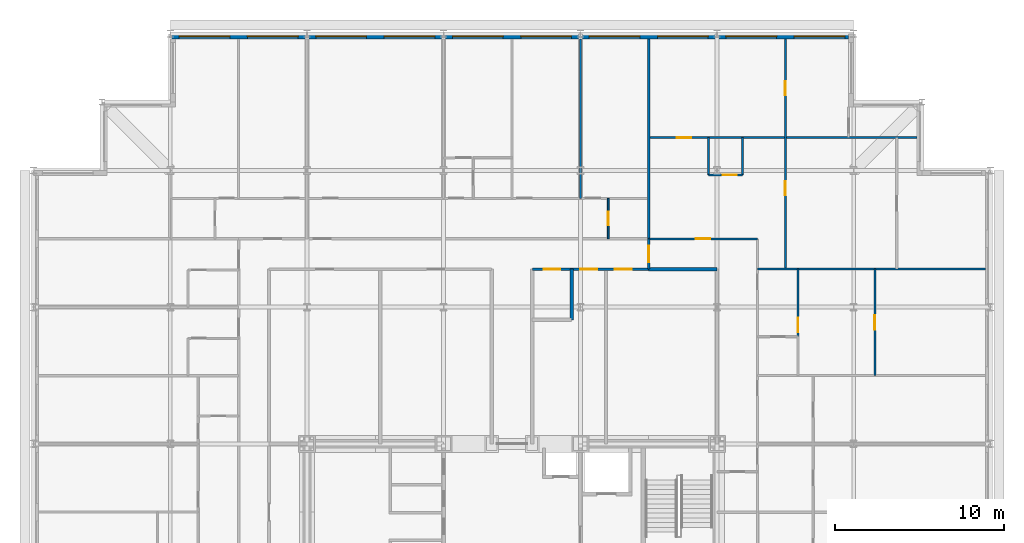
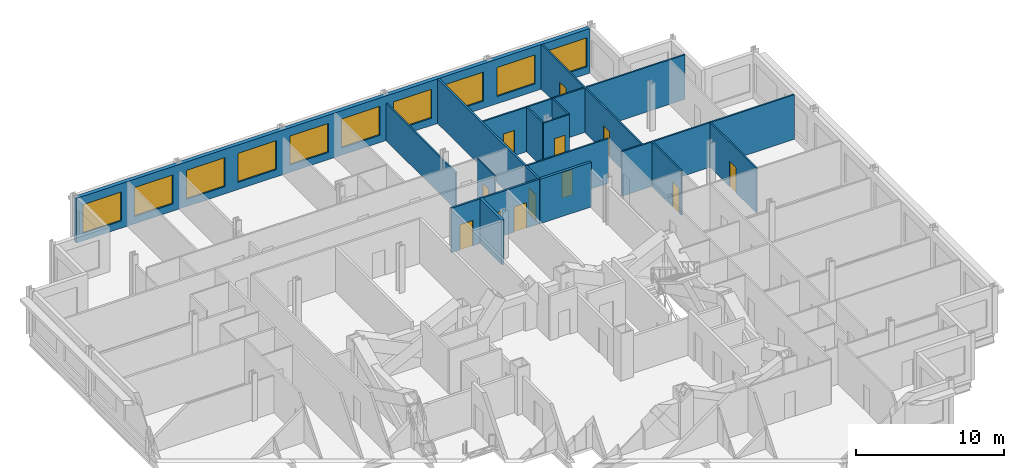
# One storey, part 13 of 15: 17 walls, 12 doors, 10 windows, 22 openings.
"""IFC4 building model written with IfcOpenShell, lengths in metres."""

from ifc_helpers import new_model, si_unit, direction, frame, frame_2d, origin, place, context, subcontext, project, spatial, rectangle, extrude, material, layer, layer_set, type_object, element, fill, save


model = new_model("IFC4")

# Units and contexts
model_context = context("Model", 3, precision=1e-05, world=origin(), true_north=direction((0.0, 1.0)))
body_context = subcontext(model_context, "Body", "Model", "MODEL_VIEW")
ifc_project = project(units=[si_unit("LENGTHUNIT", "METRE"), si_unit("AREAUNIT", "SQUARE_METRE"), si_unit("VOLUMEUNIT", "CUBIC_METRE"), si_unit("PLANEANGLEUNIT", "RADIAN"), si_unit("MASSUNIT", "GRAM", prefix="KILO")], contexts=[model_context])

# Site, building, storey
site_placement = place(None, origin())
site = spatial("IfcSite", under=ifc_project, at=site_placement, CompositionType="ELEMENT")
building_placement = place(site_placement, origin())
building = spatial("IfcBuilding", under=site, at=building_placement, Name="Kopane Lantern Tower", CompositionType="ELEMENT")
storey_placement = place(building_placement, frame((0.0, 0.0, 250.199951171875)))
storey = spatial("IfcBuildingStorey", under=building, at=storey_placement, Name="L64", CompositionType="ELEMENT", Elevation=250.199951171875)

# Wall
ifc_material_1 = material(Name="Gypsum board on steel studs", Category="steel")
ifc_layer_1 = layer(ifc_material_1, 0.1201171875)
ifc_layer_set_1 = layer_set([ifc_layer_1], Name="APARTMENT INTERNAL WALL 120")
wall_type_1 = type_object("IfcWallType", Name="APARTMENT INTERNAL WALL 120", PredefinedType="PARTITIONING", material=ifc_layer_set_1)
wall_1_placement = place(storey_placement, frame((32.39990234375, 55.050048828125, 0.0), z_axis=(0.0, 0.0, 1.0), x_axis=(0.0, 1.0, 0.0)))
element("IfcWall", 1, at=wall_1_placement, inside=storey, type_object=wall_type_1, Name="Apartment Internal Wall 120 L64", PredefinedType="PARTITIONING", context=body_context, shape_type="SweptSolid", body=[
    extrude(rectangle(XDim=9.449951171875, YDim=0.1201171875, at=frame_2d((4.72509765625, 0.0))), origin(), (0.0, 0.0, 1.0), 3.077880859375),
])

# Wall, opening, door
wall_2_placement = place(storey_placement, frame((36.449951171875, 52.64990234375, 0.0), z_axis=(0.0, 0.0, 1.0), x_axis=(1.0, 0.0, 0.0)))
wall_2 = element("IfcWall", 2, at=wall_2_placement, inside=storey, type_object=wall_type_1, Name="Apartment Internal Wall 120 L64", PredefinedType="PARTITIONING", context=body_context, shape_type="SweptSolid", body=[
    extrude(rectangle(XDim=6.449951171875, YDim=0.1201171875, at=frame_2d((3.22509765625, 0.0))), origin(), (0.0, 0.0, 1.0), 3.68994140625),
])
opening_1_placement = place(wall_2_placement, frame((2.800048828125, 0.0, 0.0)))
opening_1 = element("IfcOpeningElement", 3, at=opening_1_placement, cuts=wall_2, Name="Opening L64-053", PredefinedType="OPENING", context=body_context, shape_type="SweptSolid", body=[
    extrude(rectangle(XDim=0.85009765625, YDim=2.10009765625, at=frame_2d((0.425048828125, 1.050048828125))), frame((0.0, 0.070068359375, 0.0), z_axis=(0.0, -1.0, 0.0), x_axis=(1.0, 0.0, 0.0)), (0.0, 0.0, 1.0), 0.14013671875),
])
ifc_material_2 = material(Name="Timber door set", Category="wood")
door_type_1 = type_object("IfcDoorType", Name="DOOR D4 850x2100", OperationType="SINGLE_SWING_LEFT", PredefinedType="DOOR", material=ifc_material_2)
door_1_placement = place(opening_1_placement, origin())
door_1 = element("IfcDoor", 4, at=door_1_placement, inside=storey, type_object=door_type_1, Name="Door L64-053", OperationType="SINGLE_SWING_LEFT", OverallHeight=2.10009765625, OverallWidth=0.85009765625, PredefinedType="DOOR", context=body_context, shape_type="SweptSolid", body=[
    extrude(rectangle(XDim=0.85009765625, YDim=2.10009765625, at=frame_2d((0.425048828125, 1.050048828125))), frame((0.0, 0.02490234375, 0.0), z_axis=(0.0, -1.0, 0.0), x_axis=(1.0, 0.0, 0.0)), (0.0, 0.0, 1.0), 0.050048828125),
])
fill(opening_1, door_1)

# Wall
wall_3_placement = place(storey_placement, frame((42.89990234375, 50.85009765625, 0.0), z_axis=(0.0, 0.0, 1.0), x_axis=(1.0, 0.0, 0.0)))
element("IfcWall", 5, at=wall_3_placement, inside=storey, type_object=wall_type_1, Name="Apartment Internal Wall 120 L64", PredefinedType="PARTITIONING", context=body_context, shape_type="SweptSolid", body=[
    extrude(rectangle(XDim=13.5, YDim=0.1201171875, at=frame_2d((6.75, 0.0))), origin(), (0.0, 0.0, 1.0), 3.68994140625),
])

# Wall, opening, door
wall_4_placement = place(storey_placement, frame((36.449951171875, 58.64990234375, 0.0), z_axis=(0.0, 0.0, 1.0), x_axis=(1.0, 0.0, 0.0)))
wall_4 = element("IfcWall", 6, at=wall_4_placement, inside=storey, type_object=wall_type_1, Name="Apartment Internal Wall 120 L64", PredefinedType="PARTITIONING", context=body_context, shape_type="SweptSolid", body=[
    extrude(rectangle(XDim=15.900146484375, YDim=0.1201171875, at=frame_2d((7.9501953125, 0.0))), origin(), (0.0, 0.0, 1.0), 3.68994140625),
])
opening_2_placement = place(wall_4_placement, frame((1.675048828125, 0.0, 0.0)))
opening_2 = element("IfcOpeningElement", 7, at=opening_2_placement, cuts=wall_4, Name="Opening L64-054", PredefinedType="OPENING", context=body_context, shape_type="SweptSolid", body=[
    extrude(rectangle(XDim=0.85009765625, YDim=2.10009765625, at=frame_2d((0.425048828125, 1.050048828125))), frame((0.0, 0.070068359375, 0.0), z_axis=(0.0, -1.0, 0.0), x_axis=(1.0, 0.0, 0.0)), (0.0, 0.0, 1.0), 0.14013671875),
])
door_2_placement = place(opening_2_placement, origin())
door_2 = element("IfcDoor", 8, at=door_2_placement, inside=storey, type_object=door_type_1, Name="Door L64-054", OperationType="SINGLE_SWING_LEFT", OverallHeight=2.10009765625, OverallWidth=0.85009765625, PredefinedType="DOOR", context=body_context, shape_type="SweptSolid", body=[
    extrude(rectangle(XDim=0.85009765625, YDim=2.10009765625, at=frame_2d((0.425048828125, 1.050048828125))), frame((0.0, 0.02490234375, 0.0), z_axis=(0.0, -1.0, 0.0), x_axis=(1.0, 0.0, 0.0)), (0.0, 0.0, 1.0), 0.050048828125),
])
fill(opening_2, door_2)

# Wall, openings, doors
wall_5_placement = place(storey_placement, frame((44.550048828125, 64.5, 0.0), z_axis=(0.0, 0.0, 1.0), x_axis=(0.0, -1.0, 0.0)))
wall_5 = element("IfcWall", 9, at=wall_5_placement, inside=storey, type_object=wall_type_1, Name="Apartment Internal Wall 120 L64", PredefinedType="PARTITIONING", context=body_context, shape_type="SweptSolid", body=[
    extrude(rectangle(XDim=13.64990234375, YDim=0.1201171875, at=frame_2d((6.824951171875, 0.0))), origin(), (0.0, 0.0, 1.0), 3.68994140625),
])
opening_3_placement = place(wall_5_placement, frame((8.425048828125, 0.0, 0.0)))
opening_3 = element("IfcOpeningElement", 10, at=opening_3_placement, cuts=wall_5, Name="Opening L64-055", PredefinedType="OPENING", context=body_context, shape_type="SweptSolid", body=[
    extrude(rectangle(XDim=0.85009765625, YDim=2.10009765625, at=frame_2d((0.425048828125, 1.050048828125))), frame((0.0, 0.070068359375, 0.0), z_axis=(0.0, -1.0, 0.0), x_axis=(1.0, 0.0, 0.0)), (0.0, 0.0, 1.0), 0.14013671875),
])
opening_4_placement = place(wall_5_placement, frame((2.5, 0.0, 0.0)))
opening_4 = element("IfcOpeningElement", 11, at=opening_4_placement, cuts=wall_5, Name="Opening L64-056", PredefinedType="OPENING", context=body_context, shape_type="SweptSolid", body=[
    extrude(rectangle(XDim=0.85009765625, YDim=2.10009765625, at=frame_2d((0.425048828125, 1.050048828125))), frame((0.0, 0.070068359375, 0.0), z_axis=(0.0, -1.0, 0.0), x_axis=(1.0, 0.0, 0.0)), (0.0, 0.0, 1.0), 0.14013671875),
])
door_3_placement = place(opening_3_placement, origin())
door_3 = element("IfcDoor", 12, at=door_3_placement, inside=storey, type_object=door_type_1, Name="Door L64-055", OperationType="SINGLE_SWING_LEFT", OverallHeight=2.10009765625, OverallWidth=0.85009765625, PredefinedType="DOOR", context=body_context, shape_type="SweptSolid", body=[
    extrude(rectangle(XDim=0.85009765625, YDim=2.10009765625, at=frame_2d((0.425048828125, 1.050048828125))), frame((0.0, 0.02490234375, 0.0), z_axis=(0.0, -1.0, 0.0), x_axis=(1.0, 0.0, 0.0)), (0.0, 0.0, 1.0), 0.050048828125),
])
fill(opening_3, door_3)
door_4_placement = place(opening_4_placement, origin())
door_4 = element("IfcDoor", 13, at=door_4_placement, inside=storey, type_object=door_type_1, Name="Door L64-056", OperationType="SINGLE_SWING_RIGHT", OverallHeight=2.10009765625, OverallWidth=0.85009765625, PredefinedType="DOOR", context=body_context, shape_type="SweptSolid", body=[
    extrude(rectangle(XDim=0.85009765625, YDim=2.10009765625, at=frame_2d((0.425048828125, 1.050048828125))), frame((0.0, 0.02490234375, 0.0), z_axis=(0.0, -1.0, 0.0), x_axis=(1.0, 0.0, 0.0)), (0.0, 0.0, 1.0), 0.050048828125),
])
fill(opening_4, door_4)

# Wall, opening, door
wall_6_placement = place(storey_placement, frame((45.300048828125, 50.85009765625, 0.0), z_axis=(0.0, 0.0, 1.0), x_axis=(0.0, -1.0, 0.0)))
wall_6 = element("IfcWall", 14, at=wall_6_placement, inside=storey, type_object=wall_type_1, Name="Apartment Internal Wall 120 L64", PredefinedType="PARTITIONING", context=body_context, shape_type="SweptSolid", body=[
    extrude(rectangle(XDim=4.010009765625, YDim=0.1201171875, at=frame_2d((2.0048828125, 0.0))), origin(), (0.0, 0.0, 1.0), 3.68994140625),
])
opening_5_placement = place(wall_6_placement, frame((2.885009765625, 0.0, 0.0)))
opening_5 = element("IfcOpeningElement", 15, at=opening_5_placement, cuts=wall_6, Name="Opening L64-065", PredefinedType="OPENING", context=body_context, shape_type="SweptSolid", body=[
    extrude(rectangle(XDim=0.85009765625, YDim=2.10009765625, at=frame_2d((0.425048828125, 1.050048828125))), frame((0.0, 0.070068359375, 0.0), z_axis=(0.0, -1.0, 0.0), x_axis=(1.0, 0.0, 0.0)), (0.0, 0.0, 1.0), 0.14013671875),
])
door_5_placement = place(opening_5_placement, origin())
door_5 = element("IfcDoor", 16, at=door_5_placement, inside=storey, type_object=door_type_1, Name="Door L64-065", OperationType="SINGLE_SWING_LEFT", OverallHeight=2.10009765625, OverallWidth=0.85009765625, PredefinedType="DOOR", context=body_context, shape_type="SweptSolid", body=[
    extrude(rectangle(XDim=0.85009765625, YDim=2.10009765625, at=frame_2d((0.425048828125, 1.050048828125))), frame((0.0, 0.02490234375, 0.0), z_axis=(0.0, -1.0, 0.0), x_axis=(1.0, 0.0, 0.0)), (0.0, 0.0, 1.0), 0.050048828125),
])
fill(opening_5, door_5)

wall_7_placement = place(storey_placement, frame((49.85009765625, 44.550048828125, 0.0), z_axis=(0.0, 0.0, 1.0), x_axis=(0.0, 1.0, 0.0)))
wall_7 = element("IfcWall", 17, at=wall_7_placement, inside=storey, type_object=wall_type_1, Name="Apartment Internal Wall 120 L64", PredefinedType="PARTITIONING", context=body_context, shape_type="SweptSolid", body=[
    extrude(rectangle(XDim=6.300048828125, YDim=0.1201171875, at=frame_2d((3.14990234375, 0.0))), origin(), (0.0, 0.0, 1.0), 3.68994140625),
])
opening_6_placement = place(wall_7_placement, frame((2.72509765625, 0.0, 0.0)))
opening_6 = element("IfcOpeningElement", 18, at=opening_6_placement, cuts=wall_7, Name="Opening L64-071", PredefinedType="OPENING", context=body_context, shape_type="SweptSolid", body=[
    extrude(rectangle(XDim=0.85009765625, YDim=2.10009765625, at=frame_2d((0.425048828125, 1.050048828125))), frame((0.0, 0.070068359375, 0.0), z_axis=(0.0, -1.0, 0.0), x_axis=(1.0, 0.0, 0.0)), (0.0, 0.0, 1.0), 0.14013671875),
])
door_6_placement = place(opening_6_placement, origin())
door_6 = element("IfcDoor", 19, at=door_6_placement, inside=storey, type_object=door_type_1, Name="Door L64-071", OperationType="SINGLE_SWING_LEFT", OverallHeight=2.10009765625, OverallWidth=0.85009765625, PredefinedType="DOOR", context=body_context, shape_type="SweptSolid", body=[
    extrude(rectangle(XDim=0.85009765625, YDim=2.10009765625, at=frame_2d((0.425048828125, 1.050048828125))), frame((0.0, 0.02490234375, 0.0), z_axis=(0.0, -1.0, 0.0), x_axis=(1.0, 0.0, 0.0)), (0.0, 0.0, 1.0), 0.050048828125),
])
fill(opening_6, door_6)

# Walls
for number, where, z_axis, x_axis, name in (
    (20, (39.9970703125, 58.64990234375, 0.0), (0.0, 0.0, 1.0), (0.0, -1.0, 0.0), "Apartment Internal Wall 120 L64"),
    (21, (42.0029296875, 58.64990234375, 0.0), (0.0, 0.0, 1.0), (0.0, -1.0, 0.0), "Apartment Internal Wall 120 L64"),
):
    element("IfcWall", number, at=place(storey_placement, frame(where, z_axis=z_axis, x_axis=x_axis)), inside=storey, type_object=wall_type_1, Name=name, PredefinedType="PARTITIONING", context=body_context, shape_type="SweptSolid", body=[
        extrude(rectangle(XDim=2.212890625, YDim=0.1201171875, at=frame_2d((1.1064453125, 0.0))), origin(), (0.0, 0.0, 1.0), 3.68994140625),
    ])

# Wall, opening, door
wall_8_placement = place(storey_placement, frame((39.9970703125, 56.43701171875, 0.0), z_axis=(0.0, 0.0, 1.0), x_axis=(1.0, 0.0, 0.0)))
wall_8 = element("IfcWall", 22, at=wall_8_placement, inside=storey, type_object=wall_type_1, Name="Apartment Internal Wall 120 L64", PredefinedType="PARTITIONING", context=body_context, shape_type="SweptSolid", body=[
    extrude(rectangle(XDim=2.005859375, YDim=0.1201171875, at=frame_2d((1.0029296875, 0.0))), origin(), (0.0, 0.0, 1.0), 3.68994140625),
])
opening_7_placement = place(wall_8_placement, frame((0.8310546875, 0.0, 0.0)))
opening_7 = element("IfcOpeningElement", 23, at=opening_7_placement, cuts=wall_8, Name="Opening L64-074", PredefinedType="OPENING", context=body_context, shape_type="SweptSolid", body=[
    extrude(rectangle(XDim=0.85009765625, YDim=2.10009765625, at=frame_2d((0.425048828125, 1.050048828125))), frame((0.0, 0.070068359375, 0.0), z_axis=(0.0, -1.0, 0.0), x_axis=(1.0, 0.0, 0.0)), (0.0, 0.0, 1.0), 0.14013671875),
])
door_7_placement = place(opening_7_placement, origin())
door_7 = element("IfcDoor", 24, at=door_7_placement, inside=storey, type_object=door_type_1, Name="Door L64-074", OperationType="SINGLE_SWING_RIGHT", OverallHeight=2.10009765625, OverallWidth=0.85009765625, PredefinedType="DOOR", context=body_context, shape_type="SweptSolid", body=[
    extrude(rectangle(XDim=0.85009765625, YDim=2.10009765625, at=frame_2d((0.425048828125, 1.050048828125))), frame((0.0, 0.02490234375, 0.0), z_axis=(0.0, -1.0, 0.0), x_axis=(1.0, 0.0, 0.0)), (0.0, 0.0, 1.0), 0.050048828125),
])
fill(opening_7, door_7)

ifc_material_3 = material(Name="Moisture-resistant board on steel studs", Category="steel")
ifc_layer_2 = layer(ifc_material_3, 0.10009765625)
ifc_layer_set_2 = layer_set([ifc_layer_2], Name="BATHROOM WALL 100")
wall_type_2 = type_object("IfcWallType", Name="BATHROOM WALL 100", PredefinedType="PARTITIONING", material=ifc_layer_set_2)
wall_9_placement = place(storey_placement, frame((34.050048828125, 52.64990234375, 0.0), z_axis=(0.0, 0.0, 1.0), x_axis=(0.0, 1.0, 0.0)))
wall_9 = element("IfcWall", 25, at=wall_9_placement, inside=storey, type_object=wall_type_2, Name="Bathroom Wall 100 L64", PredefinedType="PARTITIONING", context=body_context, shape_type="SweptSolid", body=[
    extrude(rectangle(XDim=2.400146484375, YDim=0.10009765625, at=frame_2d((1.2001953125, 0.0))), origin(), (0.0, 0.0, 1.0), 3.68994140625),
])
opening_8_placement = place(wall_9_placement, frame((0.800048828125, 0.0, 0.0)))
opening_8 = element("IfcOpeningElement", 26, at=opening_8_placement, cuts=wall_9, Name="Opening L64-018", PredefinedType="OPENING", context=body_context, shape_type="SweptSolid", body=[
    extrude(rectangle(XDim=0.800048828125, YDim=2.10009765625, at=frame_2d((0.39990234375, 1.050048828125))), frame((0.0, 0.06005859375, 0.0), z_axis=(0.0, -1.0, 0.0), x_axis=(1.0, 0.0, 0.0)), (0.0, 0.0, 1.0), 0.1201171875),
])
ifc_material_4 = material(Name="Timber door set", Category="wood")
door_type_2 = type_object("IfcDoorType", Name="DOOR D2 800x2100", OperationType="SINGLE_SWING_LEFT", PredefinedType="DOOR", material=ifc_material_4)
door_8_placement = place(opening_8_placement, origin())
door_8 = element("IfcDoor", 27, at=door_8_placement, inside=storey, type_object=door_type_2, Name="Door L64-018", OperationType="SINGLE_SWING_RIGHT", OverallHeight=2.10009765625, OverallWidth=0.800048828125, PredefinedType="DOOR", context=body_context, shape_type="SweptSolid", body=[
    extrude(rectangle(XDim=0.800048828125, YDim=2.10009765625, at=frame_2d((0.39990234375, 1.050048828125))), frame((0.0, 0.02490234375, 0.0), z_axis=(0.0, -1.0, 0.0), x_axis=(1.0, 0.0, 0.0)), (0.0, 0.0, 1.0), 0.050048828125),
])
fill(opening_8, door_8)

# Wall, openings, doors
ifc_material_5 = material(Name="Gypsum board on steel studs", Category="steel")
ifc_layer_3 = layer(ifc_material_5, 0.14990234375)
ifc_layer_set_3 = layer_set([ifc_layer_3], Name="CORRIDOR WALL 150 EI 60")
wall_type_3 = type_object("IfcWallType", Name="CORRIDOR WALL 150 EI 60", PredefinedType="PARTITIONING", material=ifc_layer_set_3)
wall_10_placement = place(storey_placement, frame((29.56005859375, 50.85009765625, 0.0), z_axis=(0.0, 0.0, 1.0), x_axis=(1.0, 0.0, 0.0)))
wall_10 = element("IfcWall", 28, at=wall_10_placement, inside=storey, type_object=wall_type_3, Name="Corridor Wall 150 Ei 60 L64", PredefinedType="PARTITIONING", context=body_context, shape_type="SweptSolid", body=[
    extrude(rectangle(XDim=6.889892578125, YDim=0.14990234375, at=frame_2d((3.44482421875, 0.0))), origin(), (0.0, 0.0, 1.0), 3.68994140625),
])
opening_9_placement = place(wall_10_placement, frame((0.65673828125, 0.0, 0.0)))
opening_9 = element("IfcOpeningElement", 29, at=opening_9_placement, cuts=wall_10, Name="Opening L64-005", PredefinedType="OPENING", context=body_context, shape_type="SweptSolid", body=[
    extrude(rectangle(XDim=1.0, YDim=2.10009765625, at=frame_2d((0.5, 1.050048828125))), frame((0.0, 0.0849609375, 0.0), z_axis=(0.0, -1.0, 0.0), x_axis=(1.0, 0.0, 0.0)), (0.0, 0.0, 1.0), 0.169921875),
])
opening_10_placement = place(wall_10_placement, frame((2.840087890625, 0.0, 0.0)))
opening_10 = element("IfcOpeningElement", 30, at=opening_10_placement, cuts=wall_10, Name="Opening L64-006", PredefinedType="OPENING", context=body_context, shape_type="SweptSolid", body=[
    extrude(rectangle(XDim=1.0, YDim=2.10009765625, at=frame_2d((0.5, 1.050048828125))), frame((0.0, 0.0849609375, 0.0), z_axis=(0.0, -1.0, 0.0), x_axis=(1.0, 0.0, 0.0)), (0.0, 0.0, 1.0), 0.169921875),
])
opening_11_placement = place(wall_10_placement, frame((4.873291015625, 0.0, 0.0)))
opening_11 = element("IfcOpeningElement", 31, at=opening_11_placement, cuts=wall_10, Name="Opening L64-007", PredefinedType="OPENING", context=body_context, shape_type="SweptSolid", body=[
    extrude(rectangle(XDim=1.0, YDim=2.10009765625, at=frame_2d((0.5, 1.050048828125))), frame((0.0, 0.0849609375, 0.0), z_axis=(0.0, -1.0, 0.0), x_axis=(1.0, 0.0, 0.0)), (0.0, 0.0, 1.0), 0.169921875),
])
ifc_material_6 = material(Name="Steel door set", Category="steel")
door_type_3 = type_object("IfcDoorType", Name="DOOR D5 1000x2100 FD60", OperationType="SINGLE_SWING_LEFT", PredefinedType="DOOR", material=ifc_material_6)
door_9_placement = place(opening_9_placement, origin())
door_9 = element("IfcDoor", 32, at=door_9_placement, inside=storey, type_object=door_type_3, Name="Door L64-005", OperationType="SINGLE_SWING_RIGHT", OverallHeight=2.10009765625, OverallWidth=1.0, PredefinedType="DOOR", context=body_context, shape_type="SweptSolid", body=[
    extrude(rectangle(XDim=1.0, YDim=2.10009765625, at=frame_2d((0.5, 1.050048828125))), frame((0.0, 0.02490234375, 0.0), z_axis=(0.0, -1.0, 0.0), x_axis=(1.0, 0.0, 0.0)), (0.0, 0.0, 1.0), 0.050048828125),
])
fill(opening_9, door_9)
door_10_placement = place(opening_10_placement, origin())
door_10 = element("IfcDoor", 33, at=door_10_placement, inside=storey, type_object=door_type_3, Name="Door L64-006", OperationType="SINGLE_SWING_LEFT", OverallHeight=2.10009765625, OverallWidth=1.0, PredefinedType="DOOR", context=body_context, shape_type="SweptSolid", body=[
    extrude(rectangle(XDim=1.0, YDim=2.10009765625, at=frame_2d((0.5, 1.050048828125))), frame((0.0, 0.02490234375, 0.0), z_axis=(0.0, -1.0, 0.0), x_axis=(1.0, 0.0, 0.0)), (0.0, 0.0, 1.0), 0.050048828125),
])
fill(opening_10, door_10)
door_11_placement = place(opening_11_placement, origin())
door_11 = element("IfcDoor", 34, at=door_11_placement, inside=storey, type_object=door_type_3, Name="Door L64-007", OperationType="SINGLE_SWING_RIGHT", OverallHeight=2.10009765625, OverallWidth=1.0, PredefinedType="DOOR", context=body_context, shape_type="SweptSolid", body=[
    extrude(rectangle(XDim=1.0, YDim=2.10009765625, at=frame_2d((0.5, 1.050048828125))), frame((0.0, 0.02490234375, 0.0), z_axis=(0.0, -1.0, 0.0), x_axis=(1.0, 0.0, 0.0)), (0.0, 0.0, 1.0), 0.050048828125),
])
fill(opening_11, door_11)

# Wall, opening, door
wall_11_placement = place(storey_placement, frame((36.449951171875, 50.85009765625, 0.0), z_axis=(0.0, 0.0, 1.0), x_axis=(0.0, 1.0, 0.0)))
wall_11 = element("IfcWall", 35, at=wall_11_placement, inside=storey, type_object=wall_type_3, Name="Corridor Wall 150 Ei 60 L64", PredefinedType="PARTITIONING", context=body_context, shape_type="SweptSolid", body=[
    extrude(rectangle(XDim=1.7998046875, YDim=0.14990234375, at=frame_2d((0.89990234375, 0.0))), origin(), (0.0, 0.0, 1.0), 3.68994140625),
])
opening_12_placement = place(wall_11_placement, frame((0.39990234375, 0.0, 0.0)))
opening_12 = element("IfcOpeningElement", 36, at=opening_12_placement, cuts=wall_11, Name="Opening L64-051", PredefinedType="OPENING", context=body_context, shape_type="SweptSolid", body=[
    extrude(rectangle(XDim=1.0, YDim=2.10009765625, at=frame_2d((0.5, 1.050048828125))), frame((0.0, 0.0849609375, 0.0), z_axis=(0.0, -1.0, 0.0), x_axis=(1.0, 0.0, 0.0)), (0.0, 0.0, 1.0), 0.169921875),
])
ifc_material_7 = material(Name="Steel door set", Category="steel")
door_type_4 = type_object("IfcDoorType", Name="DOOR D3 1000x2100 FD30S", OperationType="SINGLE_SWING_LEFT", PredefinedType="DOOR", material=ifc_material_7)
door_12_placement = place(opening_12_placement, origin())
door_12 = element("IfcDoor", 37, at=door_12_placement, inside=storey, type_object=door_type_4, Name="Door L64-051", OperationType="SINGLE_SWING_RIGHT", OverallHeight=2.10009765625, OverallWidth=1.0, PredefinedType="DOOR", context=body_context, shape_type="SweptSolid", body=[
    extrude(rectangle(XDim=1.0, YDim=2.10009765625, at=frame_2d((0.5, 1.050048828125))), frame((0.0, 0.02490234375, 0.0), z_axis=(0.0, -1.0, 0.0), x_axis=(1.0, 0.0, 0.0)), (0.0, 0.0, 1.0), 0.050048828125),
])
fill(opening_12, door_12)

# Wall
ifc_material_8 = material(Name="Gypsum board on steel studs", Category="steel")
ifc_layer_4 = layer(ifc_material_8, 0.14990234375)
ifc_layer_set_4 = layer_set([ifc_layer_4], Name="DEMISING WALL 150 EI 60")
wall_type_4 = type_object("IfcWallType", Name="DEMISING WALL 150 EI 60", PredefinedType="PARTITIONING", material=ifc_layer_set_4)
wall_12_placement = place(storey_placement, frame((36.449951171875, 64.5, 0.0), z_axis=(0.0, 0.0, 1.0), x_axis=(0.0, -1.0, 0.0)))
element("IfcWall", 38, at=wall_12_placement, inside=storey, type_object=wall_type_4, Name="Demising Wall 150 Ei 60 L64", PredefinedType="PARTITIONING", context=body_context, shape_type="SweptSolid", body=[
    extrude(rectangle(XDim=11.85009765625, YDim=0.14990234375, at=frame_2d((5.925048828125, 0.0))), origin(), (0.0, 0.0, 1.0), 3.68994140625),
])

# Wall, openings, windows
ifc_material_9 = material(Name="Terracotta rainscreen on light steel framing", Category="masonry")
ifc_layer_5 = layer(ifc_material_9, 0.300048828125)
ifc_layer_set_5 = layer_set([ifc_layer_5], Name="EXTERNAL WALL EW1 300 TERRACOTTA")
wall_type_5 = type_object("IfcWallType", Name="EXTERNAL WALL EW1 300 TERRACOTTA", PredefinedType="SOLIDWALL", material=ifc_layer_set_5)
wall_13_placement = place(storey_placement, frame((48.300048828125, 64.64990234375, 0.0), z_axis=(0.0, 0.0, 1.0), x_axis=(-1.0, 0.0, 0.0)))
wall_13 = element("IfcWall", 39, at=wall_13_placement, inside=storey, type_object=wall_type_5, Name="External wall N L64", PredefinedType="SOLIDWALL", context=body_context, shape_type="SweptSolid", body=[
    extrude(rectangle(XDim=40.199951171875, YDim=0.300048828125, at=frame_2d((20.10009765625, 0.0))), origin(), (0.0, 0.0, 1.0), 3.68994140625),
])
opening_13_placement = place(wall_13_placement, frame((0.22509765625, 0.0, 0.60009765625)))
opening_13 = element("IfcOpeningElement", 40, at=opening_13_placement, cuts=wall_13, Name="Opening WR300240", PredefinedType="OPENING", context=body_context, shape_type="SweptSolid", body=[
    extrude(rectangle(XDim=3.0, YDim=2.39990234375, at=frame_2d((1.5, 1.199951171875))), frame((0.0, 0.159912109375, 0.0), z_axis=(0.0, -1.0, 0.0), x_axis=(1.0, 0.0, 0.0)), (0.0, 0.0, 1.0), 0.320068359375),
])
opening_14_placement = place(wall_13_placement, frame((4.27490234375, 0.0, 0.60009765625)))
opening_14 = element("IfcOpeningElement", 41, at=opening_14_placement, cuts=wall_13, Name="Opening WR300240", PredefinedType="OPENING", context=body_context, shape_type="SweptSolid", body=[
    extrude(rectangle(XDim=3.0, YDim=2.39990234375, at=frame_2d((1.5, 1.199951171875))), frame((0.0, 0.159912109375, 0.0), z_axis=(0.0, -1.0, 0.0), x_axis=(1.0, 0.0, 0.0)), (0.0, 0.0, 1.0), 0.320068359375),
])
opening_15_placement = place(wall_13_placement, frame((8.324951171875, 0.0, 0.60009765625)))
opening_15 = element("IfcOpeningElement", 42, at=opening_15_placement, cuts=wall_13, Name="Opening WR300240", PredefinedType="OPENING", context=body_context, shape_type="SweptSolid", body=[
    extrude(rectangle(XDim=3.0, YDim=2.39990234375, at=frame_2d((1.5, 1.199951171875))), frame((0.0, 0.159912109375, 0.0), z_axis=(0.0, -1.0, 0.0), x_axis=(1.0, 0.0, 0.0)), (0.0, 0.0, 1.0), 0.320068359375),
])
opening_16_placement = place(wall_13_placement, frame((12.375, 0.0, 0.60009765625)))
opening_16 = element("IfcOpeningElement", 43, at=opening_16_placement, cuts=wall_13, Name="Opening WR300240", PredefinedType="OPENING", context=body_context, shape_type="SweptSolid", body=[
    extrude(rectangle(XDim=3.0, YDim=2.39990234375, at=frame_2d((1.5, 1.199951171875))), frame((0.0, 0.159912109375, 0.0), z_axis=(0.0, -1.0, 0.0), x_axis=(1.0, 0.0, 0.0)), (0.0, 0.0, 1.0), 0.320068359375),
])
opening_17_placement = place(wall_13_placement, frame((16.425048828125, 0.0, 0.60009765625)))
opening_17 = element("IfcOpeningElement", 44, at=opening_17_placement, cuts=wall_13, Name="Opening WR300240", PredefinedType="OPENING", context=body_context, shape_type="SweptSolid", body=[
    extrude(rectangle(XDim=3.0, YDim=2.39990234375, at=frame_2d((1.5, 1.199951171875))), frame((0.0, 0.159912109375, 0.0), z_axis=(0.0, -1.0, 0.0), x_axis=(1.0, 0.0, 0.0)), (0.0, 0.0, 1.0), 0.320068359375),
])
opening_18_placement = place(wall_13_placement, frame((20.47509765625, 0.0, 0.60009765625)))
opening_18 = element("IfcOpeningElement", 45, at=opening_18_placement, cuts=wall_13, Name="Opening WR300240", PredefinedType="OPENING", context=body_context, shape_type="SweptSolid", body=[
    extrude(rectangle(XDim=3.0, YDim=2.39990234375, at=frame_2d((1.5, 1.199951171875))), frame((0.0, 0.159912109375, 0.0), z_axis=(0.0, -1.0, 0.0), x_axis=(1.0, 0.0, 0.0)), (0.0, 0.0, 1.0), 0.320068359375),
])
opening_19_placement = place(wall_13_placement, frame((24.52490234375, 0.0, 0.60009765625)))
opening_19 = element("IfcOpeningElement", 46, at=opening_19_placement, cuts=wall_13, Name="Opening WR300240", PredefinedType="OPENING", context=body_context, shape_type="SweptSolid", body=[
    extrude(rectangle(XDim=3.0, YDim=2.39990234375, at=frame_2d((1.5, 1.199951171875))), frame((0.0, 0.159912109375, 0.0), z_axis=(0.0, -1.0, 0.0), x_axis=(1.0, 0.0, 0.0)), (0.0, 0.0, 1.0), 0.320068359375),
])
opening_20_placement = place(wall_13_placement, frame((28.574951171875, 0.0, 0.60009765625)))
opening_20 = element("IfcOpeningElement", 47, at=opening_20_placement, cuts=wall_13, Name="Opening WR300240", PredefinedType="OPENING", context=body_context, shape_type="SweptSolid", body=[
    extrude(rectangle(XDim=3.0, YDim=2.39990234375, at=frame_2d((1.5, 1.199951171875))), frame((0.0, 0.159912109375, 0.0), z_axis=(0.0, -1.0, 0.0), x_axis=(1.0, 0.0, 0.0)), (0.0, 0.0, 1.0), 0.320068359375),
])
opening_21_placement = place(wall_13_placement, frame((32.625, 0.0, 0.60009765625)))
opening_21 = element("IfcOpeningElement", 48, at=opening_21_placement, cuts=wall_13, Name="Opening WR300240", PredefinedType="OPENING", context=body_context, shape_type="SweptSolid", body=[
    extrude(rectangle(XDim=3.0, YDim=2.39990234375, at=frame_2d((1.5, 1.199951171875))), frame((0.0, 0.159912109375, 0.0), z_axis=(0.0, -1.0, 0.0), x_axis=(1.0, 0.0, 0.0)), (0.0, 0.0, 1.0), 0.320068359375),
])
opening_22_placement = place(wall_13_placement, frame((36.675048828125, 0.0, 0.60009765625)))
opening_22 = element("IfcOpeningElement", 49, at=opening_22_placement, cuts=wall_13, Name="Opening WR300240", PredefinedType="OPENING", context=body_context, shape_type="SweptSolid", body=[
    extrude(rectangle(XDim=3.0, YDim=2.39990234375, at=frame_2d((1.5, 1.199951171875))), frame((0.0, 0.159912109375, 0.0), z_axis=(0.0, -1.0, 0.0), x_axis=(1.0, 0.0, 0.0)), (0.0, 0.0, 1.0), 0.320068359375),
])
ifc_material_10 = material(Name="Aluminium and clear glass", Category="aluminium")
window_type = type_object("IfcWindowType", Name="RIBBON WINDOW WR300240 3000x2400", PartitioningType="SINGLE_PANEL", PredefinedType="WINDOW", material=ifc_material_10)
window_1_placement = place(opening_13_placement, origin())
window_1 = element("IfcWindow", 50, at=window_1_placement, inside=storey, type_object=window_type, Name="Window N L64", OverallHeight=2.39990234375, OverallWidth=3.0, PartitioningType="SINGLE_PANEL", PredefinedType="WINDOW", context=body_context, shape_type="SweptSolid", body=[
    extrude(rectangle(XDim=3.0, YDim=2.39990234375, at=frame_2d((1.5, 1.199951171875))), frame((0.0, 0.030029296875, 0.0), z_axis=(0.0, -1.0, 0.0), x_axis=(1.0, 0.0, 0.0)), (0.0, 0.0, 1.0), 0.06005859375),
])
fill(opening_13, window_1)
window_2_placement = place(opening_14_placement, origin())
window_2 = element("IfcWindow", 51, at=window_2_placement, inside=storey, type_object=window_type, Name="Window N L64", OverallHeight=2.39990234375, OverallWidth=3.0, PartitioningType="SINGLE_PANEL", PredefinedType="WINDOW", context=body_context, shape_type="SweptSolid", body=[
    extrude(rectangle(XDim=3.0, YDim=2.39990234375, at=frame_2d((1.5, 1.199951171875))), frame((0.0, 0.030029296875, 0.0), z_axis=(0.0, -1.0, 0.0), x_axis=(1.0, 0.0, 0.0)), (0.0, 0.0, 1.0), 0.06005859375),
])
fill(opening_14, window_2)
window_3_placement = place(opening_15_placement, origin())
window_3 = element("IfcWindow", 52, at=window_3_placement, inside=storey, type_object=window_type, Name="Window N L64", OverallHeight=2.39990234375, OverallWidth=3.0, PartitioningType="SINGLE_PANEL", PredefinedType="WINDOW", context=body_context, shape_type="SweptSolid", body=[
    extrude(rectangle(XDim=3.0, YDim=2.39990234375, at=frame_2d((1.5, 1.199951171875))), frame((0.0, 0.030029296875, 0.0), z_axis=(0.0, -1.0, 0.0), x_axis=(1.0, 0.0, 0.0)), (0.0, 0.0, 1.0), 0.06005859375),
])
fill(opening_15, window_3)
window_4_placement = place(opening_16_placement, origin())
window_4 = element("IfcWindow", 53, at=window_4_placement, inside=storey, type_object=window_type, Name="Window N L64", OverallHeight=2.39990234375, OverallWidth=3.0, PartitioningType="SINGLE_PANEL", PredefinedType="WINDOW", context=body_context, shape_type="SweptSolid", body=[
    extrude(rectangle(XDim=3.0, YDim=2.39990234375, at=frame_2d((1.5, 1.199951171875))), frame((0.0, 0.030029296875, 0.0), z_axis=(0.0, -1.0, 0.0), x_axis=(1.0, 0.0, 0.0)), (0.0, 0.0, 1.0), 0.06005859375),
])
fill(opening_16, window_4)
window_5_placement = place(opening_17_placement, origin())
window_5 = element("IfcWindow", 54, at=window_5_placement, inside=storey, type_object=window_type, Name="Window N L64", OverallHeight=2.39990234375, OverallWidth=3.0, PartitioningType="SINGLE_PANEL", PredefinedType="WINDOW", context=body_context, shape_type="SweptSolid", body=[
    extrude(rectangle(XDim=3.0, YDim=2.39990234375, at=frame_2d((1.5, 1.199951171875))), frame((0.0, 0.030029296875, 0.0), z_axis=(0.0, -1.0, 0.0), x_axis=(1.0, 0.0, 0.0)), (0.0, 0.0, 1.0), 0.06005859375),
])
fill(opening_17, window_5)
window_6_placement = place(opening_18_placement, origin())
window_6 = element("IfcWindow", 55, at=window_6_placement, inside=storey, type_object=window_type, Name="Window N L64", OverallHeight=2.39990234375, OverallWidth=3.0, PartitioningType="SINGLE_PANEL", PredefinedType="WINDOW", context=body_context, shape_type="SweptSolid", body=[
    extrude(rectangle(XDim=3.0, YDim=2.39990234375, at=frame_2d((1.5, 1.199951171875))), frame((0.0, 0.030029296875, 0.0), z_axis=(0.0, -1.0, 0.0), x_axis=(1.0, 0.0, 0.0)), (0.0, 0.0, 1.0), 0.06005859375),
])
fill(opening_18, window_6)
window_7_placement = place(opening_19_placement, origin())
window_7 = element("IfcWindow", 56, at=window_7_placement, inside=storey, type_object=window_type, Name="Window N L64", OverallHeight=2.39990234375, OverallWidth=3.0, PartitioningType="SINGLE_PANEL", PredefinedType="WINDOW", context=body_context, shape_type="SweptSolid", body=[
    extrude(rectangle(XDim=3.0, YDim=2.39990234375, at=frame_2d((1.5, 1.199951171875))), frame((0.0, 0.030029296875, 0.0), z_axis=(0.0, -1.0, 0.0), x_axis=(1.0, 0.0, 0.0)), (0.0, 0.0, 1.0), 0.06005859375),
])
fill(opening_19, window_7)
window_8_placement = place(opening_20_placement, origin())
window_8 = element("IfcWindow", 57, at=window_8_placement, inside=storey, type_object=window_type, Name="Window N L64", OverallHeight=2.39990234375, OverallWidth=3.0, PartitioningType="SINGLE_PANEL", PredefinedType="WINDOW", context=body_context, shape_type="SweptSolid", body=[
    extrude(rectangle(XDim=3.0, YDim=2.39990234375, at=frame_2d((1.5, 1.199951171875))), frame((0.0, 0.030029296875, 0.0), z_axis=(0.0, -1.0, 0.0), x_axis=(1.0, 0.0, 0.0)), (0.0, 0.0, 1.0), 0.06005859375),
])
fill(opening_20, window_8)
window_9_placement = place(opening_21_placement, origin())
window_9 = element("IfcWindow", 58, at=window_9_placement, inside=storey, type_object=window_type, Name="Window N L64", OverallHeight=2.39990234375, OverallWidth=3.0, PartitioningType="SINGLE_PANEL", PredefinedType="WINDOW", context=body_context, shape_type="SweptSolid", body=[
    extrude(rectangle(XDim=3.0, YDim=2.39990234375, at=frame_2d((1.5, 1.199951171875))), frame((0.0, 0.030029296875, 0.0), z_axis=(0.0, -1.0, 0.0), x_axis=(1.0, 0.0, 0.0)), (0.0, 0.0, 1.0), 0.06005859375),
])
fill(opening_21, window_9)
window_10_placement = place(opening_22_placement, origin())
window_10 = element("IfcWindow", 59, at=window_10_placement, inside=storey, type_object=window_type, Name="Window N L64", OverallHeight=2.39990234375, OverallWidth=3.0, PartitioningType="SINGLE_PANEL", PredefinedType="WINDOW", context=body_context, shape_type="SweptSolid", body=[
    extrude(rectangle(XDim=3.0, YDim=2.39990234375, at=frame_2d((1.5, 1.199951171875))), frame((0.0, 0.030029296875, 0.0), z_axis=(0.0, -1.0, 0.0), x_axis=(1.0, 0.0, 0.0)), (0.0, 0.0, 1.0), 0.06005859375),
])
fill(opening_22, window_10)

# Walls
ifc_material_11 = material(Name="Concrete masonry", Category="masonry")
ifc_layer_6 = layer(ifc_material_11, 0.199951171875)
ifc_layer_set_6 = layer_set([ifc_layer_6], Name="PLANT ROOM WALL 200 EI 120")
wall_type_6 = type_object("IfcWallType", Name="PLANT ROOM WALL 200 EI 120", PredefinedType="SOLIDWALL", material=ifc_layer_set_6)
wall_14_placement = place(storey_placement, frame((31.88330078125, 50.85009765625, 0.0), z_axis=(0.0, 0.0, 1.0), x_axis=(0.0, -1.0, 0.0)))
element("IfcWall", 60, at=wall_14_placement, inside=storey, type_object=wall_type_6, Name="Plant Room Wall 200 Ei 120 L64", PredefinedType="SOLIDWALL", context=body_context, shape_type="SweptSolid", body=[
    extrude(rectangle(XDim=3.0, YDim=0.199951171875, at=frame_2d((1.5, 0.0))), origin(), (0.0, 0.0, 1.0), 3.68994140625),
])
wall_15_placement = place(storey_placement, frame((36.449951171875, 50.85009765625, 0.0), z_axis=(0.0, 0.0, 1.0), x_axis=(1.0, 0.0, 0.0)))
element("IfcWall", 61, at=wall_15_placement, inside=storey, type_object=wall_type_6, Name="Plant Room Wall 200 Ei 120 L64", PredefinedType="SOLIDWALL", context=body_context, shape_type="SweptSolid", body=[
    extrude(rectangle(XDim=4.050048828125, YDim=0.199951171875, at=frame_2d((2.02490234375, 0.0))), origin(), (0.0, 0.0, 1.0), 3.68994140625),
])

save(model, "model.ifc")
